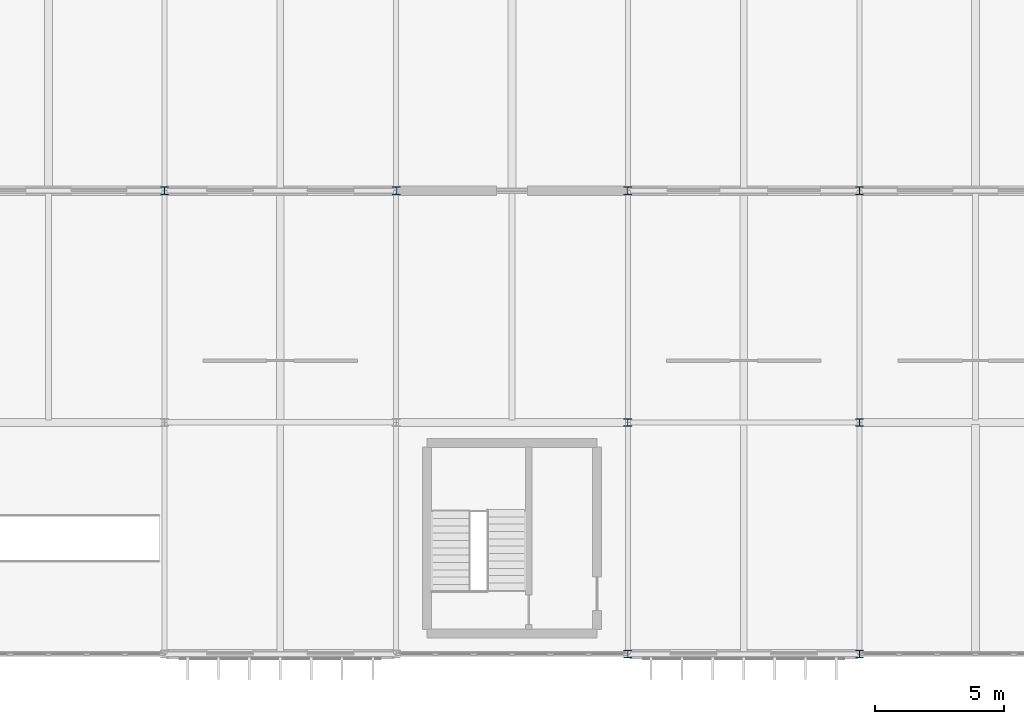
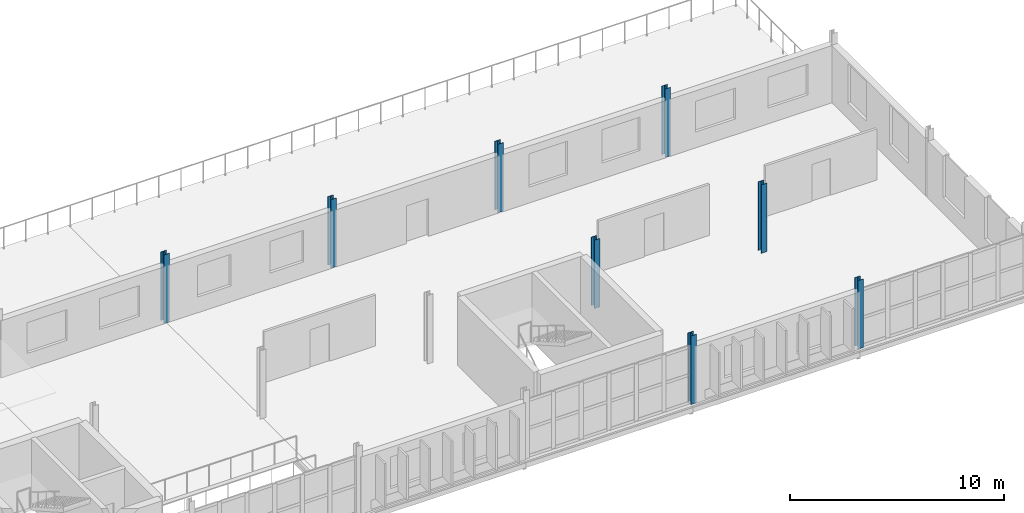
# One storey, part 16 of 123: 8 columns.
"""IFC4 building model written with IfcOpenShell, lengths in metres."""

from ifc_helpers import new_model, si_unit, direction, frame, origin, origin_2d, place, context, subcontext, project, spatial, i_section, extrude, material, material_profile, profile_set, type_object, element, save


model = new_model("IFC4")

# Units and contexts
model_context = context("Model", 3, precision=1e-05, world=origin(), true_north=direction((0.0, 1.0)))
body_context = subcontext(model_context, "Body", "Model", "MODEL_VIEW")
ifc_project = project(units=[si_unit("LENGTHUNIT", "METRE"), si_unit("AREAUNIT", "SQUARE_METRE"), si_unit("VOLUMEUNIT", "CUBIC_METRE"), si_unit("PLANEANGLEUNIT", "RADIAN"), si_unit("MASSUNIT", "GRAM", prefix="KILO")], contexts=[model_context])

# Site, building, storey
site_placement = place(None, origin())
site = spatial("IfcSite", under=ifc_project, at=site_placement, CompositionType="ELEMENT")
building_placement = place(site_placement, origin())
building = spatial("IfcBuilding", under=site, at=building_placement, Name="Kildeholm Park Wholesale Market", CompositionType="ELEMENT")
storey_placement = place(building_placement, frame((0.0, 0.0, 9.60009765625)))
storey = spatial("IfcBuildingStorey", under=building, at=storey_placement, Name="L02", CompositionType="ELEMENT", Elevation=9.60009765625)

# Columns
ifc_material = material(Name="Steel S355", Category="steel")
ifc_material_profile = material_profile(ifc_material, i_section(OverallWidth=0.300048828125, OverallDepth=0.300048828125, WebThickness=0.010986328125, FlangeThickness=0.01904296875, FilletRadius=0.027099609375, at=origin_2d()), Name="HEB 300")
ifc_profile_set = profile_set([ifc_material_profile], Name="Steel S355")
column_type = type_object("IfcColumnType", Name="Column C-S03 HEB 300", PredefinedType="COLUMN", material=ifc_profile_set)
for number, where, z_axis, x_axis, name in (
    (1, (162.0, 18.0, 0.0), (0.0, 0.0, 1.0), (1.0, 0.0, 0.0), "Column V5E-162-018 L02 COL-0823"),
    (2, (171.0, 18.0, 0.0), (0.0, 0.0, 1.0), (1.0, 0.0, 0.0), "Column V5E-171-018 L02 COL-0837"),
    (3, (180.0, 0.0, 0.0), (0.0, 0.0, 1.0), (1.0, 0.0, 0.0), "Column V5E-180-000 L02 COL-0843"),
    (4, (180.0, 9.0, 0.0), (0.0, 0.0, 1.0), (1.0, 0.0, 0.0), "Column V5E-180-009 L02 COL-0847"),
    (5, (180.0, 18.0, 0.0), (0.0, 0.0, 1.0), (1.0, 0.0, 0.0), "Column V5E-180-018 L02 COL-0851"),
    (6, (189.0, 0.0, 0.0), (0.0, 0.0, 1.0), (1.0, 0.0, 0.0), "Column V5E-189-000 L02 COL-0857"),
    (7, (189.0, 9.0, 0.0), (0.0, 0.0, 1.0), (1.0, 0.0, 0.0), "Column V5E-189-009 L02 COL-0861"),
    (8, (189.0, 18.0, 0.0), (0.0, 0.0, 1.0), (1.0, 0.0, 0.0), "Column V5E-189-018 L02 COL-0865"),
):
    element("IfcColumn", number, at=place(storey_placement, frame(where, z_axis=z_axis, x_axis=x_axis)), inside=storey, type_object=column_type, Name=name, PredefinedType="COLUMN", context=body_context, shape_type="SweptSolid", body=[
        extrude(i_section(OverallWidth=0.300048828125, OverallDepth=0.300048828125, WebThickness=0.010986328125, FlangeThickness=0.01904296875, FilletRadius=0.027099609375, at=origin_2d()), origin(), (0.0, 0.0, 1.0), 3.89990234375),
    ])

save(model, "model.ifc")
